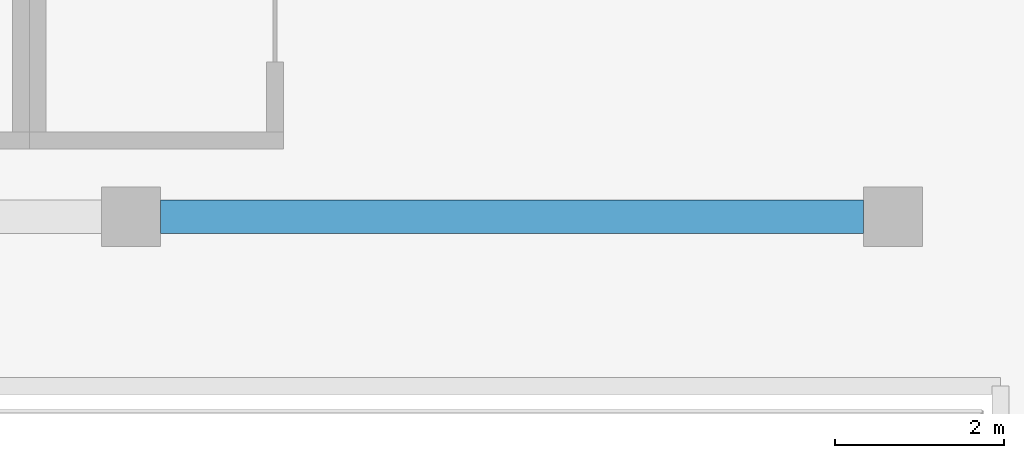
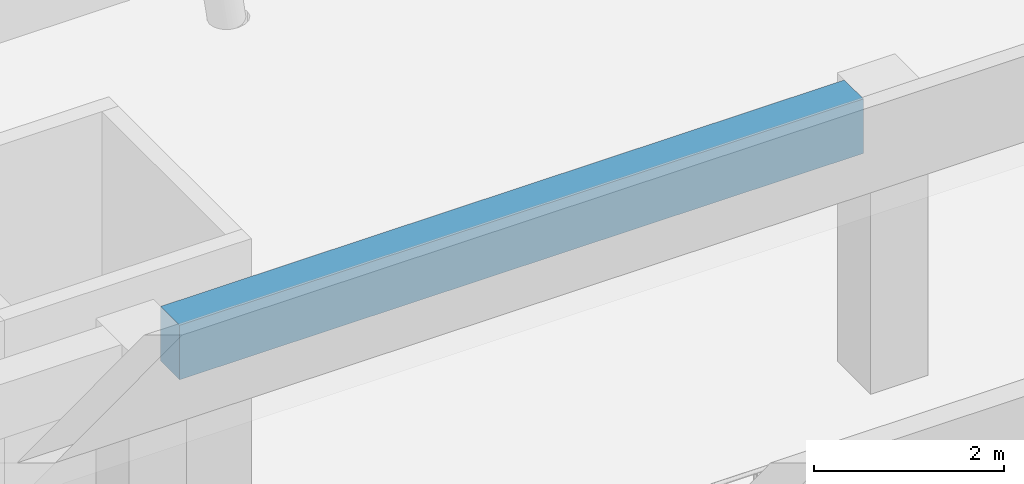
# One storey, part 20 of 72: 1 beam.
"""IFC4 building model written with IfcOpenShell, lengths in metres."""

import ifcopenshell
import ifcopenshell.guid

model = None  # the IFC model being written
_history = None  # IfcOwnerHistory: only IFC2X3 demands one
_inside = {}  # id of a spatial element -> (the spatial element, [elements in it])
_under = {}  # id of a project, library or spatial element -> (it, [spatial elements below it])
_declared = {}  # id of a project -> (the project, [libraries it declares])
_typed = {}  # id of a type object -> (the type object, [elements of that type])
_made_of = {}  # id of a material, layer set ... -> (it, [elements and type objects made of it])


def new_model(schema):
    """Start an empty IFC model of exactly this schema.

    Asked for "IFC4X3", IfcOpenShell would pick the latest addendum, in which some entities
    have other attributes; the version numbers below select the first issue.
    IFC2X3 requires an IfcOwnerHistory on every rooted entity: one is made here for all.
    """
    global model, _history
    if schema == "IFC4X3":
        model = ifcopenshell.file(schema_version=(4, 3, 0, 0))
    else:
        model = ifcopenshell.file(schema=schema)
    _inside.clear()
    _under.clear()
    _declared.clear()
    _typed.clear()
    _made_of.clear()
    _history = None
    if model.schema == "IFC2X3":
        org = make("IfcOrganization", Name="unknown")
        user = make(
            "IfcPersonAndOrganization",
            ThePerson=make("IfcPerson", FamilyName="unknown"),
            TheOrganization=org,
        )
        app = make(
            "IfcApplication",
            ApplicationDeveloper=org,
            Version="unknown",
            ApplicationFullName="unknown",
            ApplicationIdentifier="unknown",
        )
        _history = make(
            "IfcOwnerHistory",
            OwningUser=user,
            OwningApplication=app,
            ChangeAction="ADDED",
            CreationDate=0,
        )
    return model


def make(cls, **values):
    """One entity of the class cls with the attributes given. An attribute that is None is left unset."""
    return model.create_entity(
        cls, **{name: value for name, value in values.items() if value is not None}
    )


def rooted(cls, **values):
    """An entity with a GlobalId (a new one), such as an element, a storey or a relation."""
    return make(cls, GlobalId=ifcopenshell.guid.new(), OwnerHistory=_history, **values)


def si_unit(unit_type, name, prefix=None):
    """IfcSIUnit, for example si_unit("LENGTHUNIT", "METRE", prefix="MILLI")."""
    return make("IfcSIUnit", UnitType=unit_type, Prefix=prefix, Name=name)


def assignment(units):
    """IfcUnitAssignment: the units of a project."""
    return None if units is None else make("IfcUnitAssignment", Units=units)


def point(xyz):
    """IfcCartesianPoint."""
    return None if xyz is None else make("IfcCartesianPoint", Coordinates=xyz)


def direction(xyz):
    """IfcDirection."""
    return None if xyz is None else make("IfcDirection", DirectionRatios=xyz)


def frame(location, z_axis=None, x_axis=None):
    """IfcAxis2Placement3D, a coordinate frame: its origin and axes. An axis left out is left unset."""
    return make(
        "IfcAxis2Placement3D",
        Location=point(location),
        Axis=direction(z_axis),
        RefDirection=direction(x_axis),
    )


def frame_2d(location, x_axis=None):
    """IfcAxis2Placement2D, a coordinate frame in the plane: its origin and x axis."""
    return make(
        "IfcAxis2Placement2D", Location=point(location), RefDirection=direction(x_axis)
    )


def origin():
    """The frame at (0, 0, 0) with its axes left unset."""
    return frame((0.0, 0.0, 0.0))


def origin_2d():
    """The frame at (0, 0) in the plane with its x axis left unset."""
    return frame_2d((0.0, 0.0))


def place(relative_to, where):
    """IfcLocalPlacement: puts the frame where relative to a parent placement (None: the world)."""
    return make(
        "IfcLocalPlacement", PlacementRelTo=relative_to, RelativePlacement=where
    )


def context(
    kind, dimensions, precision=None, world=None, true_north=None, identifier=None
):
    """IfcGeometricRepresentationContext, for example the 3D "Model" context."""
    return make(
        "IfcGeometricRepresentationContext",
        ContextIdentifier=identifier,
        ContextType=kind,
        CoordinateSpaceDimension=dimensions,
        Precision=precision,
        WorldCoordinateSystem=world,
        TrueNorth=true_north,
    )


def subcontext(parent, identifier, kind, view, scale=None):
    """IfcGeometricRepresentationSubContext, for example "Body" below "Model"."""
    return make(
        "IfcGeometricRepresentationSubContext",
        ContextIdentifier=identifier,
        ContextType=kind,
        ParentContext=parent,
        TargetScale=scale,
        TargetView=view,
    )


def project(units=None, contexts=None):
    """IfcProject with its units and contexts."""
    return rooted(
        "IfcProject",
        Name="project",
        RepresentationContexts=contexts,
        UnitsInContext=assignment(units),
    )


def spatial(cls, under=None, at=None, **own):
    """A site, building, storey or space (cls), placed at a placement, below another one or the project."""
    s = rooted(cls, ObjectPlacement=at, **own)
    if under is not None:
        _under.setdefault(under.id(), (under, []))[1].append(s)
    return s


def profile(cls, at=None, kind="AREA", **sizes):
    """A parametric profile (cls). Its sizes go by their IFC names, for example OverallWidth=200.0."""
    return make(cls, ProfileType=kind, Position=at, **sizes)


def rectangle(**sizes):
    """IfcRectangleProfileDef."""
    return profile("IfcRectangleProfileDef", **sizes)


def extrude(swept, where, along, depth):
    """IfcExtrudedAreaSolid: the profile swept, set in the frame where, extruded along a direction by depth."""
    return make(
        "IfcExtrudedAreaSolid",
        SweptArea=swept,
        Position=where,
        ExtrudedDirection=direction(along),
        Depth=depth,
    )


def shape(context_of_items, identifier, shape_type, items):
    """IfcShapeRepresentation: the items that make up one representation, for example the "Body"."""
    return make(
        "IfcShapeRepresentation",
        ContextOfItems=context_of_items,
        RepresentationIdentifier=identifier,
        RepresentationType=shape_type,
        Items=items,
    )


def material(Name=None, Category=None):
    """IfcMaterial."""
    return make("IfcMaterial", Name=Name, Category=Category)


def material_profile(
    of_material, cross_section, Name=None, Category=None, Priority=None
):
    """IfcMaterialProfile: a cross section and its material."""
    return make(
        "IfcMaterialProfile",
        Name=Name,
        Material=of_material,
        Profile=cross_section,
        Priority=Priority,
        Category=Category,
    )


def profile_set(profiles, Name=None, composite=None):
    """IfcMaterialProfileSet."""
    return make(
        "IfcMaterialProfileSet",
        Name=Name,
        MaterialProfiles=profiles,
        CompositeProfile=composite,
    )


def made_of(thing, what):
    """Note that an element or type object is made of a material, layer set ...; save() writes the relation."""
    if what is not None:
        _made_of.setdefault(what.id(), (what, []))[1].append(thing)
    return thing


def type_object(cls, material=None, **own):
    """A type object (cls), such as IfcWallType, which elements share."""
    return made_of(rooted(cls, **own), material)


def element(
    cls,
    number,
    at=None,
    inside=None,
    cuts=None,
    type_object=None,
    material=None,
    context=None,
    identifier="Body",
    shape_type=None,
    held_by="IfcProductDefinitionShape",
    body=None,
    shapes=None,
    **own,
):
    """One element of the class cls, such as IfcWall. Its Tag is "e" and its number.

    at: its placement. inside: the storey or other place that contains it. cuts: it is an
    opening in that element (IfcRelVoidsElement). A single representation is given by context,
    identifier, shape_type and body (its items); several are given by shapes. held_by: the class
    of the entity that holds the representations. save() writes the other relations.
    """
    e = rooted(cls, Tag="e%d" % number, ObjectPlacement=at, **own)
    if body is not None:
        shapes = [shape(context, identifier, shape_type, body)]
    if shapes is not None:
        e.Representation = make(held_by, Representations=shapes)
    if inside is not None:
        _inside.setdefault(inside.id(), (inside, []))[1].append(e)
    if cuts is not None:
        rooted(
            "IfcRelVoidsElement", RelatingBuildingElement=cuts, RelatedOpeningElement=e
        )
    if type_object is not None:
        _typed.setdefault(type_object.id(), (type_object, []))[1].append(e)
    return made_of(e, material)


def aggregate(whole, parts):
    """IfcRelAggregates: a whole, such as a stair, and the parts it consists of."""
    return rooted("IfcRelAggregates", RelatingObject=whole, RelatedObjects=parts)


def save(model, path):
    """Write the relations noted so far, then the file.

    IfcRelAggregates (storeys below a building ...), IfcRelContainedInSpatialStructure (elements
    in a storey), IfcRelDefinesByType, IfcRelAssociatesMaterial and IfcRelDeclares: one each for
    every whole, place, type object, material and project.
    """
    for whole, parts in _under.values():
        aggregate(whole, parts)
    for where, things in _inside.values():
        rooted(
            "IfcRelContainedInSpatialStructure",
            RelatedElements=things,
            RelatingStructure=where,
        )
    for kind, things in _typed.values():
        rooted("IfcRelDefinesByType", RelatedObjects=things, RelatingType=kind)
    for what, things in _made_of.values():
        rooted("IfcRelAssociatesMaterial", RelatedObjects=things, RelatingMaterial=what)
    for by, libraries in _declared.values():
        rooted("IfcRelDeclares", RelatingContext=by, RelatedDefinitions=libraries)
    model.write(path)


model = new_model("IFC4")

# Units and contexts
model_context = context("Model", 3, precision=1e-05, world=origin(), true_north=direction((0.0, 1.0)))
body_context = subcontext(model_context, "Body", "Model", "MODEL_VIEW")
ifc_project = project(units=[si_unit("LENGTHUNIT", "METRE"), si_unit("AREAUNIT", "SQUARE_METRE"), si_unit("VOLUMEUNIT", "CUBIC_METRE"), si_unit("PLANEANGLEUNIT", "RADIAN"), si_unit("MASSUNIT", "GRAM", prefix="KILO")], contexts=[model_context])

# Site, building, storey
site_placement = place(None, origin())
site = spatial("IfcSite", under=ifc_project, at=site_placement, CompositionType="ELEMENT")
building_placement = place(site_placement, origin())
building = spatial("IfcBuilding", under=site, at=building_placement, Name="Tuart Plaza Theatre", CompositionType="ELEMENT")
storey_placement = place(building_placement, frame((0.0, 0.0, 13.5)))
storey = spatial("IfcBuildingStorey", under=building, at=storey_placement, Name="L03", CompositionType="ELEMENT", Elevation=13.5)

# Beam
ifc_material = material(Name="Concrete N40 (40 MPa)", Category="concrete")
ifc_material_profile = material_profile(ifc_material, rectangle(XDim=0.39990234375, YDim=0.699951171875, at=origin_2d()), Name="BEAM 400x700 Concrete N40 (40 MPa)")
ifc_profile_set = profile_set([ifc_material_profile], Name="Concrete N40 (40 MPa)")
beam_type = type_object("IfcBeamType", Name="BEAM 400x700 Concrete N40 (40 MPa)", PredefinedType="BEAM", material=ifc_profile_set)
beam_placement = place(storey_placement, frame((96.35009765625, 56.0, 3.35009765625), z_axis=(1.0, 0.0, 0.0), x_axis=(0.0, 1.0, 0.0)))
element("IfcBeam", 1, at=beam_placement, inside=storey, type_object=beam_type, Name="RB490", PredefinedType="BEAM", context=body_context, shape_type="SweptSolid", body=[
    extrude(rectangle(XDim=0.39990234375, YDim=0.699951171875, at=origin_2d()), origin(), (0.0, 0.0, 1.0), 8.2998046875),
])

save(model, "model.ifc")
